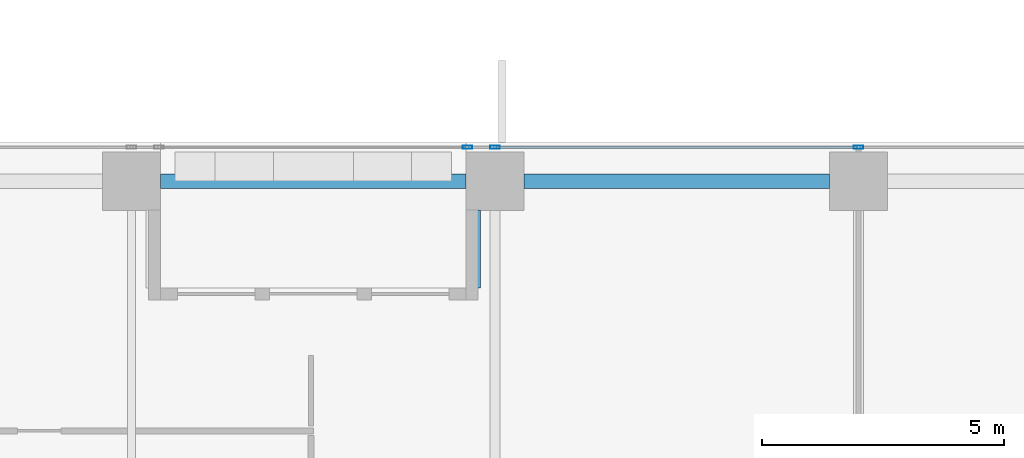
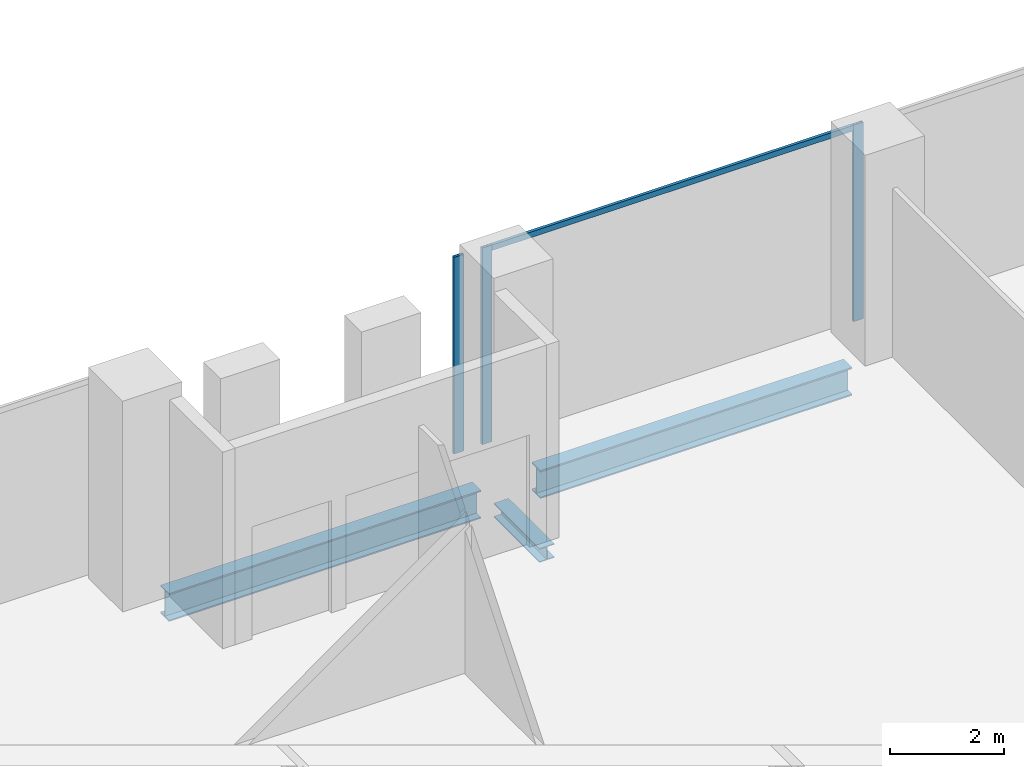
# One storey, part 19 of 33: 4 members, 3 beams, 1 element without a shape of its own.
"""IFC4 building model written with IfcOpenShell, lengths in metres."""

from ifc_helpers import new_model, si_unit, direction, frame, origin, origin_2d, place, context, subcontext, project, spatial, hollow_rectangle, i_section, extrude, source, transform, mapped, material, material_profile, profile_set, type_object, element, aggregate, save


model = new_model("IFC4")

# Units and contexts
model_context = context("Model", 3, precision=1e-05, world=origin(), true_north=direction((0.0, 1.0)))
body_context = subcontext(model_context, "Body", "Model", "MODEL_VIEW")
ifc_project = project(units=[si_unit("LENGTHUNIT", "METRE"), si_unit("AREAUNIT", "SQUARE_METRE"), si_unit("VOLUMEUNIT", "CUBIC_METRE"), si_unit("PLANEANGLEUNIT", "RADIAN"), si_unit("MASSUNIT", "GRAM", prefix="KILO")], contexts=[model_context])

# Site, building, storey
site_placement = place(None, origin())
site = spatial("IfcSite", under=ifc_project, at=site_placement, CompositionType="ELEMENT")
building_placement = place(site_placement, origin())
building = spatial("IfcBuilding", under=site, at=building_placement, Name="Khomas Fold Tower", CompositionType="ELEMENT")
storey_placement = place(building_placement, frame((0.0, 0.0, 91.5)))
storey = spatial("IfcBuildingStorey", under=building, at=storey_placement, Name="L19", CompositionType="ELEMENT", Elevation=91.5)

# Beams
ifc_material_1 = material(Name="Steel S355", Category="steel")
ifc_material_profile_1 = material_profile(ifc_material_1, i_section(OverallWidth=0.300048828125, OverallDepth=0.60009765625, WebThickness=0.015380859375, FlangeThickness=0.030029296875, at=origin_2d()), Name="HE 600 B")
ifc_profile_set_1 = profile_set([ifc_material_profile_1], Name="Steel S355")
beam_type_1 = type_object("IfcBeamType", Name="HE 600 B spandrel SB1", PredefinedType="SPANDREL", material=ifc_profile_set_1)
shared_shape_1 = source(origin(), body_context, "Body", "SweptSolid", [
    extrude(i_section(OverallWidth=0.300048828125, OverallDepth=0.60009765625, WebThickness=0.015380859375, FlangeThickness=0.030029296875, at=origin_2d()), origin(), (0.0, 0.0, 1.0), 6.2998046875),
])
for number, where, z_axis, x_axis, name in (
    (1, (35.10009765625, 53.199951171875, -0.60009765625), (1.0, 0.0, 0.0), (0.0, 1.0, 0.0), "SB1"),
    (2, (27.60009765625, 53.199951171875, -0.60009765625), (1.0, 0.0, 0.0), (0.0, 1.0, 0.0), "SB1"),
):
    element("IfcBeam", number, at=place(storey_placement, frame(where, z_axis=z_axis, x_axis=x_axis)), inside=storey, type_object=beam_type_1, Name=name, PredefinedType="SPANDREL", context=body_context, shape_type="MappedRepresentation", body=[
        mapped(shared_shape_1, transform((0.0, 0.0, 0.0))),
    ])
ifc_material_2 = material(Name="Steel S355", Category="steel")
ifc_material_profile_2 = material_profile(ifc_material_2, i_section(OverallWidth=0.300048828125, OverallDepth=0.300048828125, WebThickness=0.010986328125, FlangeThickness=0.01904296875, at=origin_2d()), Name="HE 300 B")
ifc_profile_set_2 = profile_set([ifc_material_profile_2], Name="Steel S355")
beam_type_2 = type_object("IfcBeamType", Name="HE 300 B beam BB1", PredefinedType="BEAM", material=ifc_profile_set_2)
shared_shape_2 = source(origin(), body_context, "Body", "SweptSolid", [
    extrude(i_section(OverallWidth=0.300048828125, OverallDepth=0.300048828125, WebThickness=0.010986328125, FlangeThickness=0.01904296875, at=origin_2d()), origin(), (0.0, 0.0, 1.0), 1.60009765625),
])
beam_placement = place(storey_placement, frame((34.050048828125, 51.0, -0.449951171875), z_axis=(0.0, 1.0, 0.0), x_axis=(-1.0, 0.0, 0.0)))
element("IfcBeam", 3, at=beam_placement, inside=storey, type_object=beam_type_2, Name="BB1", PredefinedType="BEAM", context=body_context, shape_type="MappedRepresentation", body=[
    mapped(shared_shape_2, transform((0.0, 0.0, 0.0))),
])

# Curtain wall, members
ifc_material_3 = material(Name="Aluminium framed double glazing", Category="aluminium")
curtain_wall_type = type_object("IfcCurtainWallType", Name="SK-Unitised clear-glass wall, growing floors CW1", PredefinedType="NOTDEFINED", material=ifc_material_3)
curtain_wall_placement = place(storey_placement, origin())
curtain_wall = element("IfcCurtainWall", 4, at=curtain_wall_placement, inside=storey, type_object=curtain_wall_type, Name="CW1 run L19 06-0", PredefinedType="NOTDEFINED")
ifc_material_4 = material(Name="Aluminium", Category="aluminium")
ifc_material_profile_3 = material_profile(ifc_material_4, hollow_rectangle(XDim=0.06005859375, YDim=0.1201171875, WallThickness=0.00390625, at=origin_2d()), Name="SK-Unitised clear-glass wall, growing floors transom CW1-T")
ifc_profile_set_3 = profile_set([ifc_material_profile_3], Name="Aluminium")
member_type_1 = type_object("IfcMemberType", Name="SK-Unitised clear-glass wall, growing floors transom CW1-T", PredefinedType="USERDEFINED", material=ifc_profile_set_3)
shared_shape_3 = source(origin(), body_context, "Body", "SweptSolid", [
    extrude(hollow_rectangle(XDim=0.06005859375, YDim=0.1201171875, WallThickness=0.00390625, at=origin_2d()), origin(), (0.0, 0.0, 1.0), 7.43994140625),
])
member_1_placement = place(storey_placement, frame((41.969970703125, 53.89990234375, 4.139892578125), z_axis=(-1.0, 0.0, 0.0), x_axis=(0.0, -1.0, 0.0)))
member_1 = element("IfcMember", 5, at=member_1_placement, type_object=member_type_1, Name="CW1 transom 3", ObjectType="TRANSOM", PredefinedType="USERDEFINED", context=body_context, shape_type="MappedRepresentation", body=[
    mapped(shared_shape_3, transform((0.0, 0.0, 0.0))),
])
ifc_material_5 = material(Name="Aluminium", Category="aluminium")
ifc_material_profile_4 = material_profile(ifc_material_5, hollow_rectangle(XDim=0.06005859375, YDim=0.199951171875, WallThickness=0.00390625, at=origin_2d()), Name="SK-Unitised clear-glass wall, growing floors mullion CW1-M")
ifc_profile_set_4 = profile_set([ifc_material_profile_4], Name="Aluminium")
member_type_2 = type_object("IfcMemberType", Name="SK-Unitised clear-glass wall, growing floors mullion CW1-M", PredefinedType="MULLION", material=ifc_profile_set_4)
shared_shape_4 = source(origin(), body_context, "Body", "SweptSolid", [
    extrude(hollow_rectangle(XDim=0.06005859375, YDim=0.199951171875, WallThickness=0.00390625, at=origin_2d()), origin(), (0.0, 0.0, 1.0), 4.199951171875),
])
member_2_placement = place(storey_placement, frame((42.0, 53.89990234375, 0.0), z_axis=(0.0, 0.0, 1.0), x_axis=(0.0, -1.0, 0.0)))
member_2 = element("IfcMember", 6, at=member_2_placement, type_object=member_type_2, Name="CW1 mullion 3", PredefinedType="MULLION", context=body_context, shape_type="MappedRepresentation", body=[
    mapped(shared_shape_4, transform((0.0, 0.0, 0.0))),
])
member_3_placement = place(storey_placement, frame((34.5, 53.89990234375, 0.0), z_axis=(0.0, 0.0, 1.0), x_axis=(0.0, -1.0, 0.0)))
member_3 = element("IfcMember", 7, at=member_3_placement, type_object=member_type_2, Name="CW1 mullion 4", PredefinedType="MULLION", context=body_context, shape_type="MappedRepresentation", body=[
    mapped(shared_shape_4, transform((0.0, 0.0, 0.0))),
])
member_4_placement = place(storey_placement, frame((33.929931640625, 53.89990234375, 0.0), z_axis=(0.0, 0.0, 1.0), x_axis=(0.0, -1.0, 0.0)))
member_4 = element("IfcMember", 8, at=member_4_placement, type_object=member_type_2, Name="CW1 mullion 5", PredefinedType="MULLION", context=body_context, shape_type="MappedRepresentation", body=[
    mapped(shared_shape_4, transform((0.0, 0.0, 0.0))),
])
aggregate(curtain_wall, [member_2, member_3, member_4, member_1])

save(model, "model.ifc")
